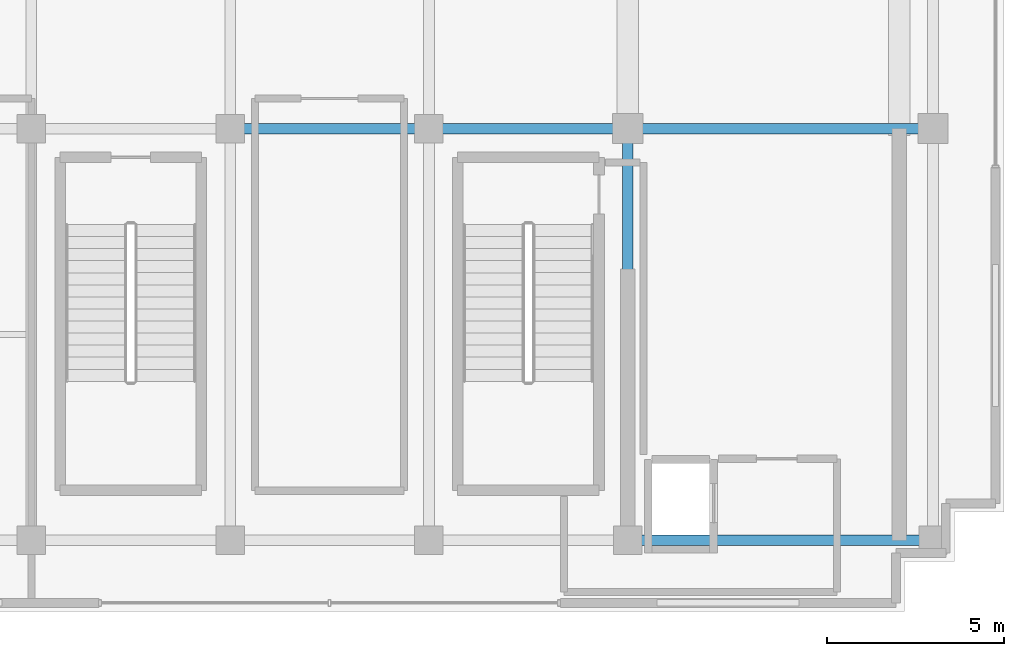
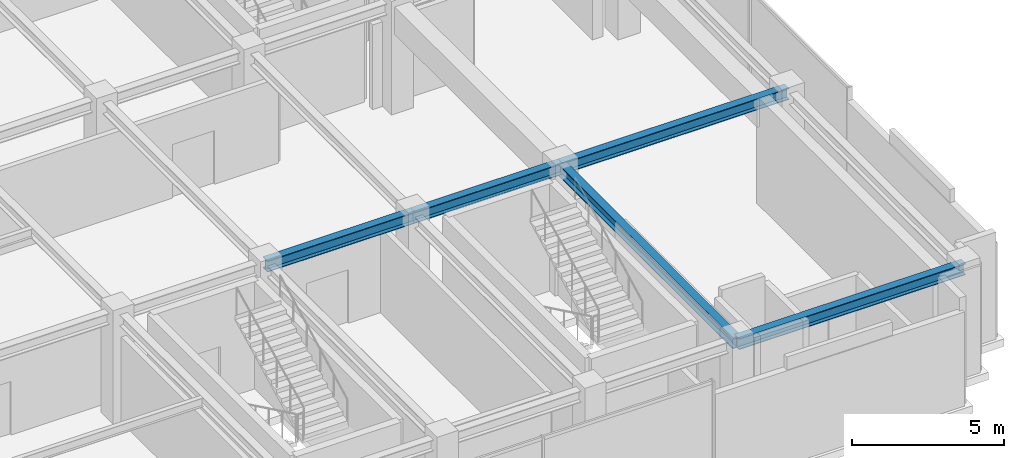
# One storey, part 5 of 18: 5 beams.
"""IFC4 building model written with IfcOpenShell, lengths in metres."""

from ifc_helpers import new_model, si_unit, direction, frame, origin, origin_2d, place, context, subcontext, project, spatial, i_section, extrude, source, transform, mapped, material, material_profile, profile_set, type_object, element, save


model = new_model("IFC4")

# Units and contexts
model_context = context("Model", 3, precision=1e-05, world=origin(), true_north=direction((0.0, 1.0)))
body_context = subcontext(model_context, "Body", "Model", "MODEL_VIEW")
ifc_project = project(units=[si_unit("LENGTHUNIT", "METRE"), si_unit("AREAUNIT", "SQUARE_METRE"), si_unit("VOLUMEUNIT", "CUBIC_METRE"), si_unit("PLANEANGLEUNIT", "RADIAN"), si_unit("MASSUNIT", "GRAM", prefix="KILO")], contexts=[model_context])

# Site, building, storey
site_placement = place(None, origin())
site = spatial("IfcSite", under=ifc_project, at=site_placement, CompositionType="ELEMENT")
building_placement = place(site_placement, origin())
building = spatial("IfcBuilding", under=site, at=building_placement, Name="Nahalor Promenade Grand Hotel", CompositionType="ELEMENT")
storey_placement = place(building_placement, frame((0.0, 0.0, 366.25)))
storey = spatial("IfcBuildingStorey", under=building, at=storey_placement, Name="L93", CompositionType="ELEMENT", Elevation=366.25)

# Beams
ifc_material = material(Name="Steel S355JR", Category="steel")
ifc_material_profile = material_profile(ifc_material, i_section(OverallWidth=0.3, OverallDepth=0.45, WebThickness=0.014, FlangeThickness=0.026, at=origin_2d()), Name="HEB 450")
ifc_profile_set = profile_set([ifc_material_profile], Name="Steel S355JR")
beam_type = type_object("IfcBeamType", Name="Beam-Girder-HEB450", PredefinedType="BEAM", material=ifc_profile_set)
shared_shape_1 = source(origin(), body_context, "Body", "SweptSolid", [
    extrude(i_section(OverallWidth=0.3, OverallDepth=0.45, WebThickness=0.014, FlangeThickness=0.026, at=origin_2d()), origin(), (0.0, 0.0, 1.0), 8.60009765625),
])
for number, where, z_axis, x_axis, name in (
    (1, (8.39990234375, -17.0, 4.074951171875), (1.0, 0.0, 0.0), (0.0, 1.0, 0.0), "BM-L93-GX-0-4"),
    (2, (8.39990234375, -5.39990234375, 4.074951171875), (1.0, 0.0, 0.0), (0.0, 1.0, 0.0), "BM-L93-GX-1-4"),
):
    element("IfcBeam", number, at=place(storey_placement, frame(where, z_axis=z_axis, x_axis=x_axis)), inside=storey, type_object=beam_type, Name=name, PredefinedType="BEAM", context=body_context, shape_type="MappedRepresentation", body=[
        mapped(shared_shape_1, transform((0.0, 0.0, 0.0), scale=1.0)),
    ])
shared_shape_2 = source(origin(), body_context, "Body", "SweptSolid", [
    extrude(i_section(OverallWidth=0.3, OverallDepth=0.45, WebThickness=0.014, FlangeThickness=0.026, at=origin_2d()), origin(), (0.0, 0.0, 1.0), 5.599853515625),
])
beam_1_placement = place(storey_placement, frame((2.800048828125, -5.39990234375, 4.074951171875), z_axis=(1.0, 0.0, 0.0), x_axis=(0.0, 1.0, 0.0)))
element("IfcBeam", 3, at=beam_1_placement, inside=storey, type_object=beam_type, Name="BM-L93-GX-1-3", PredefinedType="BEAM", context=body_context, shape_type="MappedRepresentation", body=[
    mapped(shared_shape_2, transform((0.0, 0.0, 0.0), scale=1.0)),
])
shared_shape_3 = source(origin(), body_context, "Body", "SweptSolid", [
    extrude(i_section(OverallWidth=0.3, OverallDepth=0.45, WebThickness=0.014, FlangeThickness=0.026, at=origin_2d()), origin(), (0.0, 0.0, 1.0), 5.60009765625),
])
beam_2_placement = place(storey_placement, frame((-2.800048828125, -5.39990234375, 4.074951171875), z_axis=(1.0, 0.0, 0.0), x_axis=(0.0, 1.0, 0.0)))
element("IfcBeam", 4, at=beam_2_placement, inside=storey, type_object=beam_type, Name="BM-L93-GX-1-2", PredefinedType="BEAM", context=body_context, shape_type="MappedRepresentation", body=[
    mapped(shared_shape_3, transform((0.0, 0.0, 0.0), scale=1.0)),
])
shared_shape_4 = source(origin(), body_context, "Body", "SweptSolid", [
    extrude(i_section(OverallWidth=0.3, OverallDepth=0.45, WebThickness=0.014, FlangeThickness=0.026, at=origin_2d()), origin(), (0.0, 0.0, 1.0), 11.60009765625),
])
beam_3_placement = place(storey_placement, frame((8.39990234375, -17.0, 4.074951171875), z_axis=(0.0, 1.0, 0.0), x_axis=(-1.0, 0.0, 0.0)))
element("IfcBeam", 5, at=beam_3_placement, inside=storey, type_object=beam_type, Name="BM-L93-GY-4-0", PredefinedType="BEAM", context=body_context, shape_type="MappedRepresentation", body=[
    mapped(shared_shape_4, transform((0.0, 0.0, 0.0), scale=1.0)),
])

save(model, "model.ifc")
